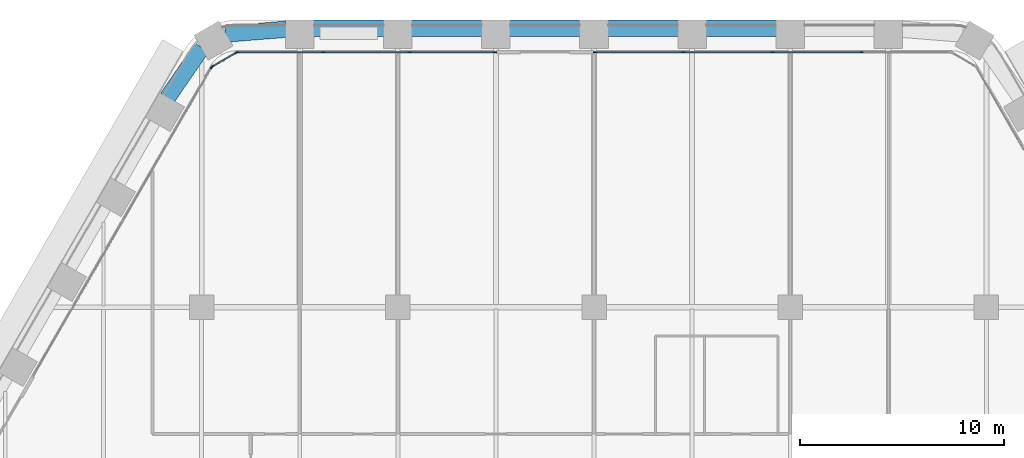
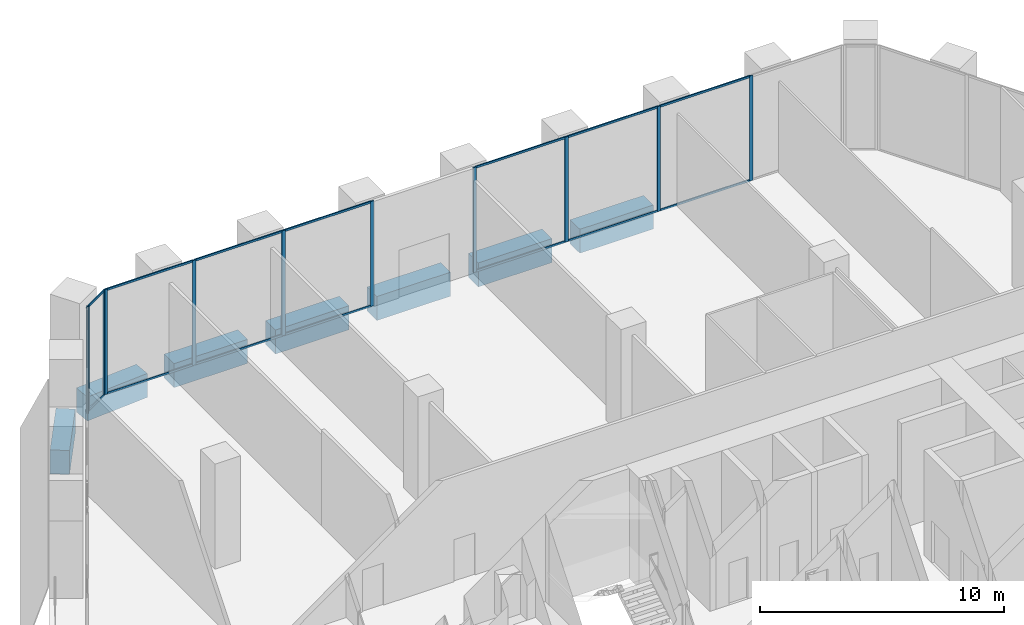
# One storey, part 13 of 27: 25 members, 7 beams, 4 elements without a shape of their own.
"""IFC4 building model written with IfcOpenShell, lengths in metres."""

from ifc_helpers import new_model, si_unit, direction, frame, origin, origin_2d, place, context, subcontext, project, spatial, rectangle, extrude, material, material_profile, profile_set, type_object, element, aggregate, save


model = new_model("IFC4")

# Units and contexts
model_context = context("Model", 3, precision=1e-05, world=origin(), true_north=direction((0.0, 1.0)))
body_context = subcontext(model_context, "Body", "Model", "MODEL_VIEW")
ifc_project = project(units=[si_unit("LENGTHUNIT", "METRE"), si_unit("AREAUNIT", "SQUARE_METRE"), si_unit("VOLUMEUNIT", "CUBIC_METRE"), si_unit("PLANEANGLEUNIT", "RADIAN"), si_unit("MASSUNIT", "GRAM", prefix="KILO")], contexts=[model_context])

# Site, building, storey
site_placement = place(None, origin())
site = spatial("IfcSite", under=ifc_project, at=site_placement, CompositionType="ELEMENT")
building_placement = place(site_placement, origin())
building = spatial("IfcBuilding", under=site, at=building_placement, Name="Kolab Exchange Tower", CompositionType="ELEMENT")
storey_placement = place(building_placement, frame((0.0, 0.0, 27.89990234375)))
storey = spatial("IfcBuildingStorey", under=building, at=storey_placement, Name="L05", CompositionType="ELEMENT", Elevation=27.89990234375)

# Beams
ifc_material_1 = material(Name="Concrete C80/95", Category="concrete")
ifc_material_profile_1 = material_profile(ifc_material_1, rectangle(XDim=0.800048828125, YDim=1.199951171875, at=origin_2d()), Name="RC800X1200")
ifc_profile_set_1 = profile_set([ifc_material_profile_1], Name="Concrete C80/95")
beam_type = type_object("IfcBeamType", Name="SPANDREL BEAM 800X1200 C80/95", PredefinedType="BEAM", material=ifc_profile_set_1)
beam_1_placement = place(storey_placement, frame((-18.03515625, 32.5654296875, -0.849853515625), z_axis=(0.996833978278, 0.07951112973, 0.0), x_axis=(-0.07951112973, 0.996833978278, 0.0)))
element("IfcBeam", 1, at=beam_1_placement, inside=storey, type_object=beam_type, Name="beam/L05/sp/F1-01", PredefinedType="BEAM", context=body_context, shape_type="SweptSolid", body=[
    extrude(rectangle(XDim=0.800048828125, YDim=1.199951171875, at=origin_2d()), origin(), (0.0, 0.0, 1.0), 2.984619140625),
])
for number, where, z_axis, x_axis, name in (
    (2, (-13.739990234375, 32.85546875, -0.849853515625), (1.0, 0.0, 0.0), (0.0, 1.0, 0.0), "beam/L05/sp/F1-02"),
    (3, (-8.93994140625, 32.85546875, -0.849853515625), (1.0, 0.0, 0.0), (0.0, 1.0, 0.0), "beam/L05/sp/F1-03"),
    (4, (-4.139892578125, 32.85546875, -0.849853515625), (1.0, 0.0, 0.0), (0.0, 1.0, 0.0), "beam/L05/sp/F1-04"),
    (5, (0.659912109375, 32.85546875, -0.849853515625), (1.0, 0.0, 0.0), (0.0, 1.0, 0.0), "beam/L05/sp/F1-05"),
    (6, (5.4599609375, 32.85546875, -0.849853515625), (1.0, 0.0, 0.0), (0.0, 1.0, 0.0), "beam/L05/sp/F1-06"),
):
    element("IfcBeam", number, at=place(storey_placement, frame(where, z_axis=z_axis, x_axis=x_axis)), inside=storey, type_object=beam_type, Name=name, PredefinedType="BEAM", context=body_context, shape_type="SweptSolid", body=[
        extrude(rectangle(XDim=0.800048828125, YDim=1.199951171875, at=origin_2d()), origin(), (0.0, 0.0, 1.0), 3.47998046875),
    ])
beam_2_placement = place(storey_placement, frame((-20.8779296875, 29.44384765625, -0.849853515625), z_axis=(0.567247290755, 0.823547516013, 0.0), x_axis=(-0.823547516013, 0.567247290755, 0.0)))
element("IfcBeam", 7, at=beam_2_placement, inside=storey, type_object=beam_type, Name="beam/L05/sp/F6-08", PredefinedType="BEAM", context=body_context, shape_type="SweptSolid", body=[
    extrude(rectangle(XDim=0.800048828125, YDim=1.199951171875, at=origin_2d()), origin(), (0.0, 0.0, 1.0), 2.984375),
])

# Curtain wall, members
ifc_material_2 = material(Name="Aluminium EN AW-6063 T6", Category="aluminium")
curtain_wall_type = type_object("IfcCurtainWallType", Name="UNITISED LOW ZONE CURTAIN WALL", PredefinedType="NOTDEFINED", material=ifc_material_2)
curtain_wall_1_placement = place(storey_placement, origin())
curtain_wall_1 = element("IfcCurtainWall", 8, at=curtain_wall_1_placement, inside=storey, type_object=curtain_wall_type, Name="cw/L05/F1-1", PredefinedType="NOTDEFINED")
ifc_material_profile_2 = material_profile(ifc_material_2, rectangle(XDim=0.06005859375, YDim=0.159912109375, at=origin_2d()), Name="RECT 60X160")
ifc_profile_set_2 = profile_set([ifc_material_profile_2], Name="Aluminium EN AW-6063 T6")
member_type_1 = type_object("IfcMemberType", Name="UNITISED LOW ZONE MULLION 60 X 160", PredefinedType="MULLION", material=ifc_profile_set_2)
member_1_placement = place(storey_placement, frame((-17.43798828125, 31.67529296875, 0.0), z_axis=(0.0, 0.0, 1.0), x_axis=(0.0, 1.0, 0.0)))
member_1 = element("IfcMember", 9, at=member_1_placement, type_object=member_type_1, Name="CW1 mullion 1", PredefinedType="MULLION", context=body_context, shape_type="SweptSolid", body=[
    extrude(rectangle(XDim=0.06005859375, YDim=0.159912109375, at=origin_2d()), origin(), (0.0, 0.0, 1.0), 5.25),
])
member_2_placement = place(storey_placement, frame((-13.245361328125, 31.67529296875, 0.0), z_axis=(0.0, 0.0, 1.0), x_axis=(0.0, 1.0, 0.0)))
member_2 = element("IfcMember", 10, at=member_2_placement, type_object=member_type_1, Name="CW1 mullion 2", PredefinedType="MULLION", context=body_context, shape_type="SweptSolid", body=[
    extrude(rectangle(XDim=0.06005859375, YDim=0.159912109375, at=origin_2d()), origin(), (0.0, 0.0, 1.0), 5.25),
])
member_3_placement = place(storey_placement, frame((-9.022705078125, 31.67529296875, 0.0), z_axis=(0.0, 0.0, 1.0), x_axis=(0.0, 1.0, 0.0)))
member_3 = element("IfcMember", 11, at=member_3_placement, type_object=member_type_1, Name="CW1 mullion 3", PredefinedType="MULLION", context=body_context, shape_type="SweptSolid", body=[
    extrude(rectangle(XDim=0.06005859375, YDim=0.159912109375, at=origin_2d()), origin(), (0.0, 0.0, 1.0), 5.25),
])
member_4_placement = place(storey_placement, frame((-4.830078125, 31.67529296875, 0.0), z_axis=(0.0, 0.0, 1.0), x_axis=(0.0, 1.0, 0.0)))
member_4 = element("IfcMember", 12, at=member_4_placement, type_object=member_type_1, Name="CW1 mullion 4", PredefinedType="MULLION", context=body_context, shape_type="SweptSolid", body=[
    extrude(rectangle(XDim=0.06005859375, YDim=0.159912109375, at=origin_2d()), origin(), (0.0, 0.0, 1.0), 5.25),
])

curtain_wall_2_placement = place(storey_placement, origin())
curtain_wall_2 = element("IfcCurtainWall", 13, at=curtain_wall_2_placement, inside=storey, type_object=curtain_wall_type, Name="cw/L05/F1-2", PredefinedType="NOTDEFINED")
member_5_placement = place(storey_placement, frame((0.030029296875, 31.67529296875, 0.0), z_axis=(0.0, 0.0, 1.0), x_axis=(0.0, 1.0, 0.0)))
member_5 = element("IfcMember", 14, at=member_5_placement, type_object=member_type_1, Name="CW1 mullion 1", PredefinedType="MULLION", context=body_context, shape_type="SweptSolid", body=[
    extrude(rectangle(XDim=0.06005859375, YDim=0.159912109375, at=origin_2d()), origin(), (0.0, 0.0, 1.0), 5.25),
])
member_6_placement = place(storey_placement, frame((4.366943359375, 31.67529296875, 0.0), z_axis=(0.0, 0.0, 1.0), x_axis=(0.0, 1.0, 0.0)))
member_6 = element("IfcMember", 15, at=member_6_placement, type_object=member_type_1, Name="CW1 mullion 2", PredefinedType="MULLION", context=body_context, shape_type="SweptSolid", body=[
    extrude(rectangle(XDim=0.06005859375, YDim=0.159912109375, at=origin_2d()), origin(), (0.0, 0.0, 1.0), 5.25),
])
member_7_placement = place(storey_placement, frame((8.73388671875, 31.67529296875, 0.0), z_axis=(0.0, 0.0, 1.0), x_axis=(0.0, 1.0, 0.0)))
member_7 = element("IfcMember", 16, at=member_7_placement, type_object=member_type_1, Name="CW1 mullion 3", PredefinedType="MULLION", context=body_context, shape_type="SweptSolid", body=[
    extrude(rectangle(XDim=0.06005859375, YDim=0.159912109375, at=origin_2d()), origin(), (0.0, 0.0, 1.0), 5.25),
])
member_8_placement = place(storey_placement, frame((13.10107421875, 31.67529296875, 0.0), z_axis=(0.0, 0.0, 1.0), x_axis=(0.0, 1.0, 0.0)))
member_8 = element("IfcMember", 17, at=member_8_placement, type_object=member_type_1, Name="CW1 mullion 4", PredefinedType="MULLION", context=body_context, shape_type="SweptSolid", body=[
    extrude(rectangle(XDim=0.06005859375, YDim=0.159912109375, at=origin_2d()), origin(), (0.0, 0.0, 1.0), 5.25),
])

# Curtain wall, member
curtain_wall_3_placement = place(storey_placement, origin())
curtain_wall_3 = element("IfcCurtainWall", 18, at=curtain_wall_3_placement, inside=storey, type_object=curtain_wall_type, Name="cw/L05/F6-2", PredefinedType="NOTDEFINED")
member_9_placement = place(storey_placement, frame((-18.712646484375, 30.939453125, 0.0), z_axis=(0.0, 0.0, 1.0), x_axis=(-0.866025397318, 0.5000000112, 0.0)))
member_9 = element("IfcMember", 19, at=member_9_placement, type_object=member_type_1, Name="CW1 mullion 5", PredefinedType="MULLION", context=body_context, shape_type="SweptSolid", body=[
    extrude(rectangle(XDim=0.06005859375, YDim=0.159912109375, at=origin_2d()), origin(), (0.0, 0.0, 1.0), 5.25),
])
aggregate(curtain_wall_3, [member_9])

# Curtain wall, members
curtain_wall_4_placement = place(storey_placement, origin())
curtain_wall_4 = element("IfcCurtainWall", 20, at=curtain_wall_4_placement, inside=storey, type_object=curtain_wall_type, Name="cw/L05/F6F1-corner", PredefinedType="NOTDEFINED")
member_10_placement = place(storey_placement, frame((-18.671630859375, 30.98046875, 0.0), z_axis=(0.0, 0.0, 1.0), x_axis=(-0.50000002237, 0.866025390869, 0.0)))
member_10 = element("IfcMember", 21, at=member_10_placement, type_object=member_type_1, Name="CW1 mullion 1", PredefinedType="MULLION", context=body_context, shape_type="SweptSolid", body=[
    extrude(rectangle(XDim=0.06005859375, YDim=0.159912109375, at=origin_2d()), origin(), (0.0, 0.0, 1.0), 5.25),
])
member_11_placement = place(storey_placement, frame((-17.493896484375, 31.660400390625, 0.0), z_axis=(0.0, 0.0, 1.0), x_axis=(-0.50000002237, 0.866025390869, 0.0)))
member_11 = element("IfcMember", 22, at=member_11_placement, type_object=member_type_1, Name="CW1 mullion 2", PredefinedType="MULLION", context=body_context, shape_type="SweptSolid", body=[
    extrude(rectangle(XDim=0.06005859375, YDim=0.159912109375, at=origin_2d()), origin(), (0.0, 0.0, 1.0), 5.25),
])

# Member
ifc_material_profile_3 = material_profile(ifc_material_2, rectangle(XDim=0.06005859375, YDim=0.10009765625, at=origin_2d()), Name="RECT 60X100")
ifc_profile_set_3 = profile_set([ifc_material_profile_3], Name="Aluminium EN AW-6063 T6")
member_type_2 = type_object("IfcMemberType", Name="UNITISED LOW ZONE TRANSOM 60 X 100", PredefinedType="USERDEFINED", material=ifc_profile_set_3)
member_12_placement = place(storey_placement, frame((-17.407958984375, 31.67529296875, 0.030029296875), z_axis=(1.0, 0.0, 0.0), x_axis=(0.0, 1.0, 0.0)))
member_12 = element("IfcMember", 23, at=member_12_placement, type_object=member_type_2, Name="CW1 transom 1.1", ObjectType="TRANSOM", PredefinedType="USERDEFINED", context=body_context, shape_type="SweptSolid", body=[
    extrude(rectangle(XDim=0.06005859375, YDim=0.10009765625, at=origin_2d()), origin(), (0.0, 0.0, 1.0), 4.132568359375),
])

member_13_placement = place(storey_placement, frame((-17.407958984375, 31.67529296875, 5.22021484375), z_axis=(1.0, 0.0, 0.0), x_axis=(0.0, 1.0, 0.0)))
member_13 = element("IfcMember", 24, at=member_13_placement, type_object=member_type_2, Name="CW1 transom 1.2", ObjectType="TRANSOM", PredefinedType="USERDEFINED", context=body_context, shape_type="SweptSolid", body=[
    extrude(rectangle(XDim=0.06005859375, YDim=0.10009765625, at=origin_2d()), origin(), (0.0, 0.0, 1.0), 4.132568359375),
])

member_14_placement = place(storey_placement, frame((-13.21533203125, 31.67529296875, 0.030029296875), z_axis=(1.0, 0.0, 0.0), x_axis=(0.0, 1.0, 0.0)))
member_14 = element("IfcMember", 25, at=member_14_placement, type_object=member_type_2, Name="CW1 transom 2.1", ObjectType="TRANSOM", PredefinedType="USERDEFINED", context=body_context, shape_type="SweptSolid", body=[
    extrude(rectangle(XDim=0.06005859375, YDim=0.10009765625, at=origin_2d()), origin(), (0.0, 0.0, 1.0), 4.16259765625),
])

member_15_placement = place(storey_placement, frame((-13.21533203125, 31.67529296875, 5.22021484375), z_axis=(1.0, 0.0, 0.0), x_axis=(0.0, 1.0, 0.0)))
member_15 = element("IfcMember", 26, at=member_15_placement, type_object=member_type_2, Name="CW1 transom 2.2", ObjectType="TRANSOM", PredefinedType="USERDEFINED", context=body_context, shape_type="SweptSolid", body=[
    extrude(rectangle(XDim=0.06005859375, YDim=0.10009765625, at=origin_2d()), origin(), (0.0, 0.0, 1.0), 4.16259765625),
])

member_16_placement = place(storey_placement, frame((-8.99267578125, 31.67529296875, 0.030029296875), z_axis=(1.0, 0.0, 0.0), x_axis=(0.0, 1.0, 0.0)))
member_16 = element("IfcMember", 27, at=member_16_placement, type_object=member_type_2, Name="CW1 transom 3.1", ObjectType="TRANSOM", PredefinedType="USERDEFINED", context=body_context, shape_type="SweptSolid", body=[
    extrude(rectangle(XDim=0.06005859375, YDim=0.10009765625, at=origin_2d()), origin(), (0.0, 0.0, 1.0), 4.132568359375),
])

member_17_placement = place(storey_placement, frame((-8.99267578125, 31.67529296875, 5.22021484375), z_axis=(1.0, 0.0, 0.0), x_axis=(0.0, 1.0, 0.0)))
member_17 = element("IfcMember", 28, at=member_17_placement, type_object=member_type_2, Name="CW1 transom 3.2", ObjectType="TRANSOM", PredefinedType="USERDEFINED", context=body_context, shape_type="SweptSolid", body=[
    extrude(rectangle(XDim=0.06005859375, YDim=0.10009765625, at=origin_2d()), origin(), (0.0, 0.0, 1.0), 4.132568359375),
])

aggregate(curtain_wall_1, [member_1, member_2, member_3, member_4, member_12, member_13, member_14, member_15, member_16, member_17])

member_18_placement = place(storey_placement, frame((0.06005859375, 31.67529296875, 0.030029296875), z_axis=(1.0, 0.0, 0.0), x_axis=(0.0, 1.0, 0.0)))
member_18 = element("IfcMember", 29, at=member_18_placement, type_object=member_type_2, Name="CW1 transom 1.1", ObjectType="TRANSOM", PredefinedType="USERDEFINED", context=body_context, shape_type="SweptSolid", body=[
    extrude(rectangle(XDim=0.06005859375, YDim=0.10009765625, at=origin_2d()), origin(), (0.0, 0.0, 1.0), 4.27685546875),
])

member_19_placement = place(storey_placement, frame((0.06005859375, 31.67529296875, 5.22021484375), z_axis=(1.0, 0.0, 0.0), x_axis=(0.0, 1.0, 0.0)))
member_19 = element("IfcMember", 30, at=member_19_placement, type_object=member_type_2, Name="CW1 transom 1.2", ObjectType="TRANSOM", PredefinedType="USERDEFINED", context=body_context, shape_type="SweptSolid", body=[
    extrude(rectangle(XDim=0.06005859375, YDim=0.10009765625, at=origin_2d()), origin(), (0.0, 0.0, 1.0), 4.27685546875),
])

member_20_placement = place(storey_placement, frame((4.39697265625, 31.67529296875, 0.030029296875), z_axis=(1.0, 0.0, 0.0), x_axis=(0.0, 1.0, 0.0)))
member_20 = element("IfcMember", 31, at=member_20_placement, type_object=member_type_2, Name="CW1 transom 2.1", ObjectType="TRANSOM", PredefinedType="USERDEFINED", context=body_context, shape_type="SweptSolid", body=[
    extrude(rectangle(XDim=0.06005859375, YDim=0.10009765625, at=origin_2d()), origin(), (0.0, 0.0, 1.0), 4.306884765625),
])

member_21_placement = place(storey_placement, frame((4.39697265625, 31.67529296875, 5.22021484375), z_axis=(1.0, 0.0, 0.0), x_axis=(0.0, 1.0, 0.0)))
member_21 = element("IfcMember", 32, at=member_21_placement, type_object=member_type_2, Name="CW1 transom 2.2", ObjectType="TRANSOM", PredefinedType="USERDEFINED", context=body_context, shape_type="SweptSolid", body=[
    extrude(rectangle(XDim=0.06005859375, YDim=0.10009765625, at=origin_2d()), origin(), (0.0, 0.0, 1.0), 4.306884765625),
])

member_22_placement = place(storey_placement, frame((8.763916015625, 31.67529296875, 0.030029296875), z_axis=(1.0, 0.0, 0.0), x_axis=(0.0, 1.0, 0.0)))
member_22 = element("IfcMember", 33, at=member_22_placement, type_object=member_type_2, Name="CW1 transom 3.1", ObjectType="TRANSOM", PredefinedType="USERDEFINED", context=body_context, shape_type="SweptSolid", body=[
    extrude(rectangle(XDim=0.06005859375, YDim=0.10009765625, at=origin_2d()), origin(), (0.0, 0.0, 1.0), 4.30712890625),
])

member_23_placement = place(storey_placement, frame((8.763916015625, 31.67529296875, 5.22021484375), z_axis=(1.0, 0.0, 0.0), x_axis=(0.0, 1.0, 0.0)))
member_23 = element("IfcMember", 34, at=member_23_placement, type_object=member_type_2, Name="CW1 transom 3.2", ObjectType="TRANSOM", PredefinedType="USERDEFINED", context=body_context, shape_type="SweptSolid", body=[
    extrude(rectangle(XDim=0.06005859375, YDim=0.10009765625, at=origin_2d()), origin(), (0.0, 0.0, 1.0), 4.30712890625),
])

aggregate(curtain_wall_2, [member_5, member_6, member_7, member_8, member_18, member_19, member_20, member_21, member_22, member_23])

member_24_placement = place(storey_placement, frame((-18.645751953125, 30.995361328125, 0.030029296875), z_axis=(0.86603858612, 0.49997716683, 0.0), x_axis=(-0.49997716683, 0.86603858612, 0.0)))
member_24 = element("IfcMember", 35, at=member_24_placement, type_object=member_type_2, Name="CW1 transom 1.1", ObjectType="TRANSOM", PredefinedType="USERDEFINED", context=body_context, shape_type="SweptSolid", body=[
    extrude(rectangle(XDim=0.06005859375, YDim=0.10009765625, at=origin_2d()), origin(), (0.0, 0.0, 1.0), 1.2998046875),
])

member_25_placement = place(storey_placement, frame((-18.645751953125, 30.995361328125, 5.22021484375), z_axis=(0.86603858612, 0.49997716683, 0.0), x_axis=(-0.49997716683, 0.86603858612, 0.0)))
member_25 = element("IfcMember", 36, at=member_25_placement, type_object=member_type_2, Name="CW1 transom 1.2", ObjectType="TRANSOM", PredefinedType="USERDEFINED", context=body_context, shape_type="SweptSolid", body=[
    extrude(rectangle(XDim=0.06005859375, YDim=0.10009765625, at=origin_2d()), origin(), (0.0, 0.0, 1.0), 1.2998046875),
])

aggregate(curtain_wall_4, [member_10, member_11, member_24, member_25])

save(model, "model.ifc")
